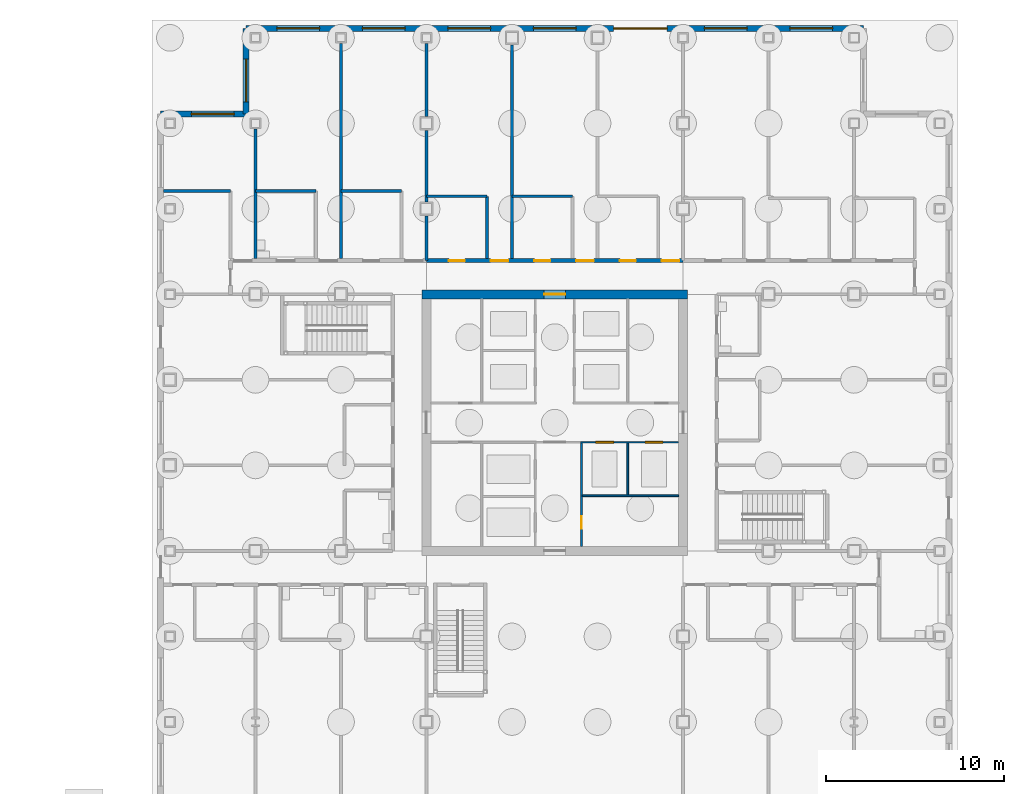
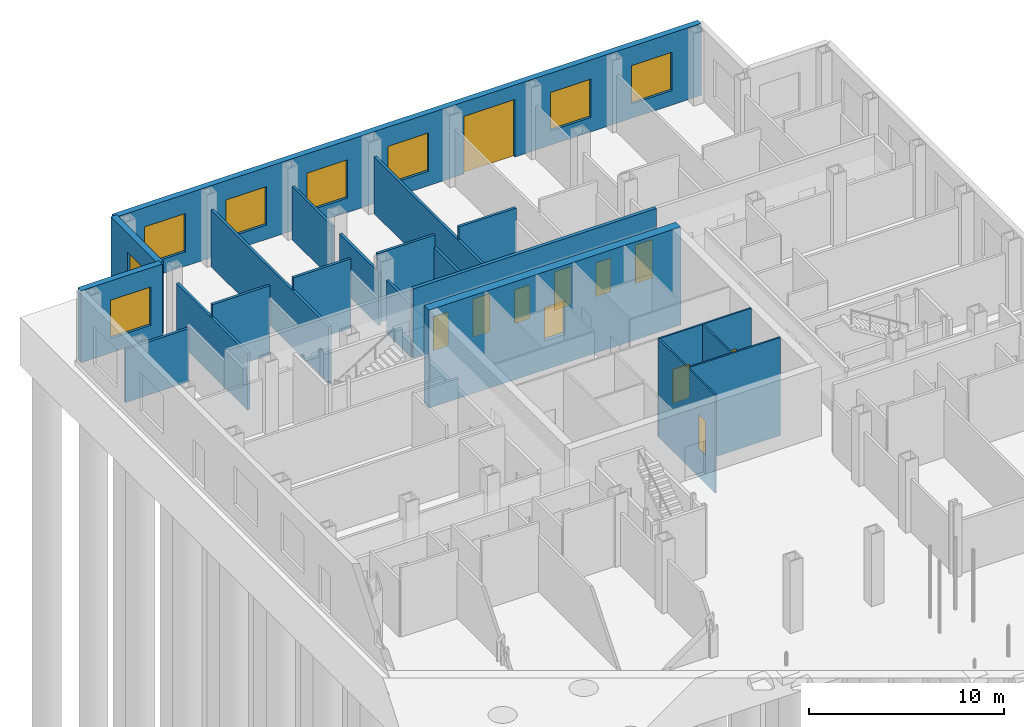
# One storey, part 16 of 22: 21 walls, 11 doors, 8 windows, 19 openings.
"""IFC4 building model written with IfcOpenShell, lengths in metres."""

import ifcopenshell
import ifcopenshell.guid

model = None  # the IFC model being written
_history = None  # IfcOwnerHistory: only IFC2X3 demands one
_inside = {}  # id of a spatial element -> (the spatial element, [elements in it])
_under = {}  # id of a project, library or spatial element -> (it, [spatial elements below it])
_declared = {}  # id of a project -> (the project, [libraries it declares])
_typed = {}  # id of a type object -> (the type object, [elements of that type])
_made_of = {}  # id of a material, layer set ... -> (it, [elements and type objects made of it])


def new_model(schema):
    """Start an empty IFC model of exactly this schema.

    Asked for "IFC4X3", IfcOpenShell would pick the latest addendum, in which some entities
    have other attributes; the version numbers below select the first issue.
    IFC2X3 requires an IfcOwnerHistory on every rooted entity: one is made here for all.
    """
    global model, _history
    if schema == "IFC4X3":
        model = ifcopenshell.file(schema_version=(4, 3, 0, 0))
    else:
        model = ifcopenshell.file(schema=schema)
    _inside.clear()
    _under.clear()
    _declared.clear()
    _typed.clear()
    _made_of.clear()
    _history = None
    if model.schema == "IFC2X3":
        org = make("IfcOrganization", Name="unknown")
        user = make(
            "IfcPersonAndOrganization",
            ThePerson=make("IfcPerson", FamilyName="unknown"),
            TheOrganization=org,
        )
        app = make(
            "IfcApplication",
            ApplicationDeveloper=org,
            Version="unknown",
            ApplicationFullName="unknown",
            ApplicationIdentifier="unknown",
        )
        _history = make(
            "IfcOwnerHistory",
            OwningUser=user,
            OwningApplication=app,
            ChangeAction="ADDED",
            CreationDate=0,
        )
    return model


def make(cls, **values):
    """One entity of the class cls with the attributes given. An attribute that is None is left unset."""
    return model.create_entity(
        cls, **{name: value for name, value in values.items() if value is not None}
    )


def rooted(cls, **values):
    """An entity with a GlobalId (a new one), such as an element, a storey or a relation."""
    return make(cls, GlobalId=ifcopenshell.guid.new(), OwnerHistory=_history, **values)


def si_unit(unit_type, name, prefix=None):
    """IfcSIUnit, for example si_unit("LENGTHUNIT", "METRE", prefix="MILLI")."""
    return make("IfcSIUnit", UnitType=unit_type, Prefix=prefix, Name=name)


def assignment(units):
    """IfcUnitAssignment: the units of a project."""
    return None if units is None else make("IfcUnitAssignment", Units=units)


def point(xyz):
    """IfcCartesianPoint."""
    return None if xyz is None else make("IfcCartesianPoint", Coordinates=xyz)


def direction(xyz):
    """IfcDirection."""
    return None if xyz is None else make("IfcDirection", DirectionRatios=xyz)


def frame(location, z_axis=None, x_axis=None):
    """IfcAxis2Placement3D, a coordinate frame: its origin and axes. An axis left out is left unset."""
    return make(
        "IfcAxis2Placement3D",
        Location=point(location),
        Axis=direction(z_axis),
        RefDirection=direction(x_axis),
    )


def frame_2d(location, x_axis=None):
    """IfcAxis2Placement2D, a coordinate frame in the plane: its origin and x axis."""
    return make(
        "IfcAxis2Placement2D", Location=point(location), RefDirection=direction(x_axis)
    )


def origin():
    """The frame at (0, 0, 0) with its axes left unset."""
    return frame((0.0, 0.0, 0.0))


def place(relative_to, where):
    """IfcLocalPlacement: puts the frame where relative to a parent placement (None: the world)."""
    return make(
        "IfcLocalPlacement", PlacementRelTo=relative_to, RelativePlacement=where
    )


def context(
    kind, dimensions, precision=None, world=None, true_north=None, identifier=None
):
    """IfcGeometricRepresentationContext, for example the 3D "Model" context."""
    return make(
        "IfcGeometricRepresentationContext",
        ContextIdentifier=identifier,
        ContextType=kind,
        CoordinateSpaceDimension=dimensions,
        Precision=precision,
        WorldCoordinateSystem=world,
        TrueNorth=true_north,
    )


def subcontext(parent, identifier, kind, view, scale=None):
    """IfcGeometricRepresentationSubContext, for example "Body" below "Model"."""
    return make(
        "IfcGeometricRepresentationSubContext",
        ContextIdentifier=identifier,
        ContextType=kind,
        ParentContext=parent,
        TargetScale=scale,
        TargetView=view,
    )


def project(units=None, contexts=None):
    """IfcProject with its units and contexts."""
    return rooted(
        "IfcProject",
        Name="project",
        RepresentationContexts=contexts,
        UnitsInContext=assignment(units),
    )


def spatial(cls, under=None, at=None, **own):
    """A site, building, storey or space (cls), placed at a placement, below another one or the project."""
    s = rooted(cls, ObjectPlacement=at, **own)
    if under is not None:
        _under.setdefault(under.id(), (under, []))[1].append(s)
    return s


def profile(cls, at=None, kind="AREA", **sizes):
    """A parametric profile (cls). Its sizes go by their IFC names, for example OverallWidth=200.0."""
    return make(cls, ProfileType=kind, Position=at, **sizes)


def rectangle(**sizes):
    """IfcRectangleProfileDef."""
    return profile("IfcRectangleProfileDef", **sizes)


def extrude(swept, where, along, depth):
    """IfcExtrudedAreaSolid: the profile swept, set in the frame where, extruded along a direction by depth."""
    return make(
        "IfcExtrudedAreaSolid",
        SweptArea=swept,
        Position=where,
        ExtrudedDirection=direction(along),
        Depth=depth,
    )


def shape(context_of_items, identifier, shape_type, items):
    """IfcShapeRepresentation: the items that make up one representation, for example the "Body"."""
    return make(
        "IfcShapeRepresentation",
        ContextOfItems=context_of_items,
        RepresentationIdentifier=identifier,
        RepresentationType=shape_type,
        Items=items,
    )


def material(Name=None, Category=None):
    """IfcMaterial."""
    return make("IfcMaterial", Name=Name, Category=Category)


def layer(
    of_material, thickness, ventilated=None, Name=None, Category=None, Priority=None
):
    """IfcMaterialLayer: one layer of a wall or slab, of a material (None: an air gap)."""
    return make(
        "IfcMaterialLayer",
        Material=of_material,
        LayerThickness=thickness,
        IsVentilated=ventilated,
        Name=Name,
        Category=Category,
        Priority=Priority,
    )


def layer_set(layers, Name=None):
    """IfcMaterialLayerSet."""
    return make("IfcMaterialLayerSet", MaterialLayers=layers, LayerSetName=Name)


def made_of(thing, what):
    """Note that an element or type object is made of a material, layer set ...; save() writes the relation."""
    if what is not None:
        _made_of.setdefault(what.id(), (what, []))[1].append(thing)
    return thing


def type_object(cls, material=None, **own):
    """A type object (cls), such as IfcWallType, which elements share."""
    return made_of(rooted(cls, **own), material)


def element(
    cls,
    number,
    at=None,
    inside=None,
    cuts=None,
    type_object=None,
    material=None,
    context=None,
    identifier="Body",
    shape_type=None,
    held_by="IfcProductDefinitionShape",
    body=None,
    shapes=None,
    **own,
):
    """One element of the class cls, such as IfcWall. Its Tag is "e" and its number.

    at: its placement. inside: the storey or other place that contains it. cuts: it is an
    opening in that element (IfcRelVoidsElement). A single representation is given by context,
    identifier, shape_type and body (its items); several are given by shapes. held_by: the class
    of the entity that holds the representations. save() writes the other relations.
    """
    e = rooted(cls, Tag="e%d" % number, ObjectPlacement=at, **own)
    if body is not None:
        shapes = [shape(context, identifier, shape_type, body)]
    if shapes is not None:
        e.Representation = make(held_by, Representations=shapes)
    if inside is not None:
        _inside.setdefault(inside.id(), (inside, []))[1].append(e)
    if cuts is not None:
        rooted(
            "IfcRelVoidsElement", RelatingBuildingElement=cuts, RelatedOpeningElement=e
        )
    if type_object is not None:
        _typed.setdefault(type_object.id(), (type_object, []))[1].append(e)
    return made_of(e, material)


def fill(opening, filler):
    """IfcRelFillsElement: the door or window that sits in an opening."""
    return rooted(
        "IfcRelFillsElement",
        RelatingOpeningElement=opening,
        RelatedBuildingElement=filler,
    )


def aggregate(whole, parts):
    """IfcRelAggregates: a whole, such as a stair, and the parts it consists of."""
    return rooted("IfcRelAggregates", RelatingObject=whole, RelatedObjects=parts)


def save(model, path):
    """Write the relations noted so far, then the file.

    IfcRelAggregates (storeys below a building ...), IfcRelContainedInSpatialStructure (elements
    in a storey), IfcRelDefinesByType, IfcRelAssociatesMaterial and IfcRelDeclares: one each for
    every whole, place, type object, material and project.
    """
    for whole, parts in _under.values():
        aggregate(whole, parts)
    for where, things in _inside.values():
        rooted(
            "IfcRelContainedInSpatialStructure",
            RelatedElements=things,
            RelatingStructure=where,
        )
    for kind, things in _typed.values():
        rooted("IfcRelDefinesByType", RelatedObjects=things, RelatingType=kind)
    for what, things in _made_of.values():
        rooted("IfcRelAssociatesMaterial", RelatedObjects=things, RelatingMaterial=what)
    for by, libraries in _declared.values():
        rooted("IfcRelDeclares", RelatingContext=by, RelatedDefinitions=libraries)
    model.write(path)


model = new_model("IFC4")

# Units and contexts
model_context = context("Model", 3, precision=1e-05, world=origin(), true_north=direction((0.0, 1.0)))
body_context = subcontext(model_context, "Body", "Model", "MODEL_VIEW")
ifc_project = project(units=[si_unit("LENGTHUNIT", "METRE"), si_unit("AREAUNIT", "SQUARE_METRE"), si_unit("VOLUMEUNIT", "CUBIC_METRE"), si_unit("PLANEANGLEUNIT", "RADIAN"), si_unit("MASSUNIT", "GRAM", prefix="KILO")], contexts=[model_context])

# Site, building, storey
site_placement = place(None, origin())
site = spatial("IfcSite", under=ifc_project, at=site_placement, CompositionType="ELEMENT")
building_placement = place(site_placement, origin())
building = spatial("IfcBuilding", under=site, at=building_placement, Name="Kvirike Care Tower", CompositionType="ELEMENT")
storey_placement = place(building_placement, origin())
storey = spatial("IfcBuildingStorey", under=building, at=storey_placement, Name="L00", CompositionType="ELEMENT", Elevation=0.0)

# Walls
ifc_material_1 = material(Name="Plasterboard partition", Category="gypsum")
ifc_layer_1 = layer(ifc_material_1, 0.14990234375)
ifc_layer_set_1 = layer_set([ifc_layer_1], Name="CLINIC PARTITION 150")
wall_type_1 = type_object("IfcWallType", Name="CLINIC PARTITION 150", PredefinedType="PARTITIONING", material=ifc_layer_set_1)
for number, where, z_axis, x_axis, name in (
    (1, (13.0, 49.0, 0.0), (0.0, 0.0, 1.0), (-1.0, 0.0, 0.0), "Clinic Partition 150 L00"),
    (2, (8.199951171875, 49.0, 0.0), (0.0, 0.0, 1.0), (-1.0, 0.0, 0.0), "Clinic Partition 150 L00"),
):
    element("IfcWall", number, at=place(storey_placement, frame(where, z_axis=z_axis, x_axis=x_axis)), inside=storey, type_object=wall_type_1, Name=name, PredefinedType="PARTITIONING", context=body_context, shape_type="SweptSolid", body=[
        extrude(rectangle(XDim=3.39990234375, YDim=0.14990234375, at=frame_2d((1.699951171875, 0.0))), origin(), (0.0, 0.0, 1.0), 4.330078125),
    ])
wall_1_placement = place(storey_placement, frame((3.39990234375, 49.0, 0.0), z_axis=(0.0, 0.0, 1.0), x_axis=(-1.0, 0.0, 0.0)))
element("IfcWall", 3, at=wall_1_placement, inside=storey, type_object=wall_type_1, Name="Clinic Partition 150 L00", PredefinedType="PARTITIONING", context=body_context, shape_type="SweptSolid", body=[
    extrude(rectangle(XDim=3.75, YDim=0.14990234375, at=frame_2d((1.875, 0.0))), origin(), (0.0, 0.0, 1.0), 3.320068359375),
])
wall_2_placement = place(storey_placement, frame((9.60009765625, 57.280029296875, 0.0), z_axis=(0.0, 0.0, 1.0), x_axis=(0.0, -1.0, 0.0)))
element("IfcWall", 4, at=wall_2_placement, inside=storey, type_object=wall_type_1, Name="Clinic Partition 150 L00", PredefinedType="PARTITIONING", context=body_context, shape_type="SweptSolid", body=[
    extrude(rectangle(XDim=12.080078125, YDim=0.14990234375, at=frame_2d((6.0400390625, 0.0))), origin(), (0.0, 0.0, 1.0), 3.550048828125),
])
wall_3_placement = place(storey_placement, frame((4.800048828125, 52.47998046875, 0.0), z_axis=(0.0, 0.0, 1.0), x_axis=(0.0, -1.0, 0.0)))
element("IfcWall", 5, at=wall_3_placement, inside=storey, type_object=wall_type_1, Name="Clinic Partition 150 L00", PredefinedType="PARTITIONING", context=body_context, shape_type="SweptSolid", body=[
    extrude(rectangle(XDim=7.280029296875, YDim=0.14990234375, at=frame_2d((3.64013671875, 0.0))), origin(), (0.0, 0.0, 1.0), 3.550048828125),
])
wall_4_placement = place(storey_placement, frame((22.60009765625, 48.699951171875, 0.0), z_axis=(0.0, 0.0, 1.0), x_axis=(-1.0, 0.0, 0.0)))
element("IfcWall", 6, at=wall_4_placement, inside=storey, type_object=wall_type_1, Name="Clinic Partition 150 L00", PredefinedType="PARTITIONING", context=body_context, shape_type="SweptSolid", body=[
    extrude(rectangle(XDim=3.400146484375, YDim=0.14990234375, at=frame_2d((1.7001953125, 0.0))), origin(), (0.0, 0.0, 1.0), 4.330078125),
])
wall_5_placement = place(storey_placement, frame((17.800048828125, 48.699951171875, 0.0), z_axis=(0.0, 0.0, 1.0), x_axis=(0.0, -1.0, 0.0)))
element("IfcWall", 7, at=wall_5_placement, inside=storey, type_object=wall_type_1, Name="Clinic Partition 150 L00", PredefinedType="PARTITIONING", context=body_context, shape_type="SweptSolid", body=[
    extrude(rectangle(XDim=3.5, YDim=0.14990234375, at=frame_2d((1.75, 0.0))), origin(), (0.0, 0.0, 1.0), 3.550048828125),
])
wall_6_placement = place(storey_placement, frame((17.800048828125, 48.699951171875, 0.0), z_axis=(0.0, 0.0, 1.0), x_axis=(-1.0, 0.0, 0.0)))
element("IfcWall", 8, at=wall_6_placement, inside=storey, type_object=wall_type_1, Name="Clinic Partition 150 L00", PredefinedType="PARTITIONING", context=body_context, shape_type="SweptSolid", body=[
    extrude(rectangle(XDim=3.400146484375, YDim=0.14990234375, at=frame_2d((1.7001953125, 0.0))), origin(), (0.0, 0.0, 1.0), 4.330078125),
])
wall_7_placement = place(storey_placement, frame((19.199951171875, 57.205078125, 0.0), z_axis=(0.0, 0.0, 1.0), x_axis=(0.0, -1.0, 0.0)))
element("IfcWall", 9, at=wall_7_placement, inside=storey, type_object=wall_type_1, Name="Clinic Partition 150 L00", PredefinedType="PARTITIONING", context=body_context, shape_type="SweptSolid", body=[
    extrude(rectangle(XDim=12.005126953125, YDim=0.14990234375, at=frame_2d((6.00244140625, 0.0))), origin(), (0.0, 0.0, 1.0), 3.550048828125),
])
wall_8_placement = place(storey_placement, frame((14.39990234375, 45.10009765625, 0.0), z_axis=(0.0, 0.0, 1.0), x_axis=(0.0, 1.0, 0.0)))
element("IfcWall", 10, at=wall_8_placement, inside=storey, type_object=wall_type_1, Name="Clinic Partition 150 L00", PredefinedType="PARTITIONING", context=body_context, shape_type="SweptSolid", body=[
    extrude(rectangle(XDim=2.5048828125, YDim=0.14990234375, at=frame_2d((1.25244140625, 0.0))), origin(), (0.0, 0.0, 1.0), 3.320068359375),
])
wall_9_placement = place(storey_placement, frame((14.39990234375, 48.39501953125, 0.0), z_axis=(0.0, 0.0, 1.0), x_axis=(0.0, 1.0, 0.0)))
element("IfcWall", 11, at=wall_9_placement, inside=storey, type_object=wall_type_1, Name="Clinic Partition 150 L00", PredefinedType="PARTITIONING", context=body_context, shape_type="SweptSolid", body=[
    extrude(rectangle(XDim=4.010009765625, YDim=0.14990234375, at=frame_2d((2.0048828125, 0.0))), origin(), (0.0, 0.0, 1.0), 3.320068359375),
])
wall_10_placement = place(storey_placement, frame((14.39990234375, 53.195068359375, 0.0), z_axis=(0.0, 0.0, 1.0), x_axis=(0.0, 1.0, 0.0)))
element("IfcWall", 12, at=wall_10_placement, inside=storey, type_object=wall_type_1, Name="Clinic Partition 150 L00", PredefinedType="PARTITIONING", context=body_context, shape_type="SweptSolid", body=[
    extrude(rectangle(XDim=4.0849609375, YDim=0.14990234375, at=frame_2d((2.04248046875, 0.0))), origin(), (0.0, 0.0, 1.0), 3.320068359375),
])

# Wall, opening, door
ifc_material_2 = material(Name="Concrete C60/75", Category="concrete")
ifc_layer_2 = layer(ifc_material_2, 0.5)
ifc_layer_set_2 = layer_set([ifc_layer_2], Name="CORE WALL 500 C60-75")
wall_type_2 = type_object("IfcWallType", Name="CORE WALL 500 C60-75", PredefinedType="SHEAR", material=ifc_layer_set_2)
wall_11_placement = place(storey_placement, frame((29.050048828125, 43.199951171875, -1.800048828125), z_axis=(0.0, 0.0, 1.0), x_axis=(-1.0, 0.0, 0.0)))
wall_11 = element("IfcWall", 13, at=wall_11_placement, inside=storey, type_object=wall_type_2, Name="Core wall N L00", PredefinedType="SHEAR", context=body_context, shape_type="SweptSolid", body=[
    extrude(rectangle(XDim=14.900146484375, YDim=0.5, at=frame_2d((7.4501953125, 0.0))), origin(), (0.0, 0.0, 1.0), 6.130126953125),
])
opening_1_placement = place(wall_11_placement, frame((6.85009765625, 0.0, 1.800048828125)))
opening_1 = element("IfcOpeningElement", 14, at=opening_1_placement, cuts=wall_11, Name="Opening 00-063", PredefinedType="OPENING", context=body_context, shape_type="SweptSolid", body=[
    extrude(rectangle(XDim=1.199951171875, YDim=2.10009765625, at=frame_2d((0.60009765625, 1.050048828125))), frame((0.0, 0.260498046875, 0.0), z_axis=(0.0, -1.0, 0.0), x_axis=(1.0, 0.0, 0.0)), (0.0, 0.0, 1.0), 0.52099609375),
])
ifc_material_3 = material(Name="Timber door set", Category="wood")
door_type_1 = type_object("IfcDoorType", Name="CORE DOOR 1200", OperationType="SINGLE_SWING_LEFT", PredefinedType="DOOR", material=ifc_material_3)
door_1_placement = place(opening_1_placement, origin())
door_1 = element("IfcDoor", 15, at=door_1_placement, inside=storey, type_object=door_type_1, Name="Core door N L00", OperationType="SINGLE_SWING_LEFT", OverallHeight=2.10009765625, OverallWidth=1.199951171875, PredefinedType="DOOR", context=body_context, shape_type="SweptSolid", body=[
    extrude(rectangle(XDim=1.199951171875, YDim=2.10009765625, at=frame_2d((0.60009765625, 1.050048828125))), frame((0.0, 0.02685546875, 0.0), z_axis=(0.0, -1.0, 0.0), x_axis=(1.0, 0.0, 0.0)), (0.0, 0.0, 1.0), 0.053955078125),
])
fill(opening_1, door_1)

# Wall, openings, doors
ifc_material_4 = material(Name="Plasterboard corridor wall", Category="gypsum")
ifc_layer_3 = layer(ifc_material_4, 0.199951171875)
ifc_layer_set_3 = layer_set([ifc_layer_3], Name="CORRIDOR WALL 200")
wall_type_3 = type_object("IfcWallType", Name="CORRIDOR WALL 200", PredefinedType="PARTITIONING", material=ifc_layer_set_3)
wall_12_placement = place(storey_placement, frame((28.800048828125, 45.10009765625, 0.0), z_axis=(0.0, 0.0, 1.0), x_axis=(-1.0, 0.0, 0.0)))
wall_12 = element("IfcWall", 16, at=wall_12_placement, inside=storey, type_object=wall_type_3, Name="Corridor Wall 200 L00", PredefinedType="PARTITIONING", context=body_context, shape_type="SweptSolid", body=[
    extrude(rectangle(XDim=14.400146484375, YDim=0.199951171875, at=frame_2d((7.2001953125, 0.0))), origin(), (0.0, 0.0, 1.0), 4.330078125),
])
opening_2_placement = place(wall_12_placement, frame((0.199951171875, 0.0, 0.0)))
opening_2 = element("IfcOpeningElement", 17, at=opening_2_placement, cuts=wall_12, Name="Opening 00-019", PredefinedType="OPENING", context=body_context, shape_type="SweptSolid", body=[
    extrude(rectangle(XDim=1.0, YDim=2.39990234375, at=frame_2d((0.5, 1.199951171875))), frame((0.0, 0.110595703125, 0.0), z_axis=(0.0, -1.0, 0.0), x_axis=(1.0, 0.0, 0.0)), (0.0, 0.0, 1.0), 0.220947265625),
])
opening_3_placement = place(wall_12_placement, frame((5.0, 0.0, 0.0)))
opening_3 = element("IfcOpeningElement", 18, at=opening_3_placement, cuts=wall_12, Name="Opening 00-020", PredefinedType="OPENING", context=body_context, shape_type="SweptSolid", body=[
    extrude(rectangle(XDim=1.0, YDim=2.39990234375, at=frame_2d((0.5, 1.199951171875))), frame((0.0, 0.110595703125, 0.0), z_axis=(0.0, -1.0, 0.0), x_axis=(1.0, 0.0, 0.0)), (0.0, 0.0, 1.0), 0.220947265625),
])
opening_4_placement = place(wall_12_placement, frame((9.800048828125, 0.0, 0.0)))
opening_4 = element("IfcOpeningElement", 19, at=opening_4_placement, cuts=wall_12, Name="Opening 00-021", PredefinedType="OPENING", context=body_context, shape_type="SweptSolid", body=[
    extrude(rectangle(XDim=1.0, YDim=2.39990234375, at=frame_2d((0.5, 1.199951171875))), frame((0.0, 0.110595703125, 0.0), z_axis=(0.0, -1.0, 0.0), x_axis=(1.0, 0.0, 0.0)), (0.0, 0.0, 1.0), 0.220947265625),
])
opening_5_placement = place(wall_12_placement, frame((2.64990234375, 0.0, 0.0)))
opening_5 = element("IfcOpeningElement", 20, at=opening_5_placement, cuts=wall_12, Name="Opening 00-022", PredefinedType="OPENING", context=body_context, shape_type="SweptSolid", body=[
    extrude(rectangle(XDim=0.89990234375, YDim=2.10009765625, at=frame_2d((0.449951171875, 1.050048828125))), frame((0.0, 0.110595703125, 0.0), z_axis=(0.0, -1.0, 0.0), x_axis=(1.0, 0.0, 0.0)), (0.0, 0.0, 1.0), 0.220947265625),
])
opening_6_placement = place(wall_12_placement, frame((7.449951171875, 0.0, 0.0)))
opening_6 = element("IfcOpeningElement", 21, at=opening_6_placement, cuts=wall_12, Name="Opening 00-023", PredefinedType="OPENING", context=body_context, shape_type="SweptSolid", body=[
    extrude(rectangle(XDim=0.89990234375, YDim=2.10009765625, at=frame_2d((0.449951171875, 1.050048828125))), frame((0.0, 0.110595703125, 0.0), z_axis=(0.0, -1.0, 0.0), x_axis=(1.0, 0.0, 0.0)), (0.0, 0.0, 1.0), 0.220947265625),
])
opening_7_placement = place(wall_12_placement, frame((12.25, 0.0, 0.0)))
opening_7 = element("IfcOpeningElement", 22, at=opening_7_placement, cuts=wall_12, Name="Opening 00-024", PredefinedType="OPENING", context=body_context, shape_type="SweptSolid", body=[
    extrude(rectangle(XDim=0.89990234375, YDim=2.10009765625, at=frame_2d((0.449951171875, 1.050048828125))), frame((0.0, 0.110595703125, 0.0), z_axis=(0.0, -1.0, 0.0), x_axis=(1.0, 0.0, 0.0)), (0.0, 0.0, 1.0), 0.220947265625),
])
ifc_material_5 = material(Name="Timber door set", Category="wood")
door_type_2 = type_object("IfcDoorType", Name="CONSULTING ROOM DOOR 1000", OperationType="SINGLE_SWING_LEFT", PredefinedType="DOOR", material=ifc_material_5)
door_2_placement = place(opening_2_placement, frame((1.0, 0.0, 0.0), z_axis=(0.0, 0.0, 1.0), x_axis=(-1.0, 0.0, 0.0)))
door_2 = element("IfcDoor", 23, at=door_2_placement, inside=storey, type_object=door_type_2, Name="Loading bay door", OperationType="SINGLE_SWING_LEFT", OverallHeight=2.39990234375, OverallWidth=1.0, PredefinedType="DOOR", context=body_context, shape_type="SweptSolid", body=[
    extrude(rectangle(XDim=1.0, YDim=2.39990234375, at=frame_2d((0.5, 1.199951171875))), frame((0.0, 0.02685546875, 0.0), z_axis=(0.0, -1.0, 0.0), x_axis=(1.0, 0.0, 0.0)), (0.0, 0.0, 1.0), 0.053955078125),
])
fill(opening_2, door_2)
door_3_placement = place(opening_3_placement, frame((1.0, 0.0, 0.0), z_axis=(0.0, 0.0, 1.0), x_axis=(-1.0, 0.0, 0.0)))
door_3 = element("IfcDoor", 24, at=door_3_placement, inside=storey, type_object=door_type_2, Name="Refuse store door", OperationType="SINGLE_SWING_RIGHT", OverallHeight=2.39990234375, OverallWidth=1.0, PredefinedType="DOOR", context=body_context, shape_type="SweptSolid", body=[
    extrude(rectangle(XDim=1.0, YDim=2.39990234375, at=frame_2d((0.5, 1.199951171875))), frame((0.0, 0.02685546875, 0.0), z_axis=(0.0, -1.0, 0.0), x_axis=(1.0, 0.0, 0.0)), (0.0, 0.0, 1.0), 0.053955078125),
])
fill(opening_3, door_3)
door_4_placement = place(opening_4_placement, frame((1.0, 0.0, 0.0), z_axis=(0.0, 0.0, 1.0), x_axis=(-1.0, 0.0, 0.0)))
door_4 = element("IfcDoor", 25, at=door_4_placement, inside=storey, type_object=door_type_2, Name="Goods receiving door", OperationType="SINGLE_SWING_RIGHT", OverallHeight=2.39990234375, OverallWidth=1.0, PredefinedType="DOOR", context=body_context, shape_type="SweptSolid", body=[
    extrude(rectangle(XDim=1.0, YDim=2.39990234375, at=frame_2d((0.5, 1.199951171875))), frame((0.0, 0.02685546875, 0.0), z_axis=(0.0, -1.0, 0.0), x_axis=(1.0, 0.0, 0.0)), (0.0, 0.0, 1.0), 0.053955078125),
])
fill(opening_4, door_4)
ifc_material_6 = material(Name="Timber door set", Category="wood")
door_type_3 = type_object("IfcDoorType", Name="STORE DOOR 900", OperationType="SINGLE_SWING_LEFT", PredefinedType="DOOR", material=ifc_material_6)
door_5_placement = place(opening_5_placement, frame((0.89990234375, 0.0, 0.0), z_axis=(0.0, 0.0, 1.0), x_axis=(-1.0, 0.0, 0.0)))
door_5 = element("IfcDoor", 26, at=door_5_placement, inside=storey, type_object=door_type_3, Name="Store door", OperationType="SINGLE_SWING_RIGHT", OverallHeight=2.10009765625, OverallWidth=0.89990234375, PredefinedType="DOOR", context=body_context, shape_type="SweptSolid", body=[
    extrude(rectangle(XDim=0.89990234375, YDim=2.10009765625, at=frame_2d((0.449951171875, 1.050048828125))), frame((0.0, 0.02685546875, 0.0), z_axis=(0.0, -1.0, 0.0), x_axis=(1.0, 0.0, 0.0)), (0.0, 0.0, 1.0), 0.053955078125),
])
fill(opening_5, door_5)
door_6_placement = place(opening_6_placement, frame((0.89990234375, 0.0, 0.0), z_axis=(0.0, 0.0, 1.0), x_axis=(-1.0, 0.0, 0.0)))
door_6 = element("IfcDoor", 27, at=door_6_placement, inside=storey, type_object=door_type_3, Name="Cleaners store door", OperationType="SINGLE_SWING_LEFT", OverallHeight=2.10009765625, OverallWidth=0.89990234375, PredefinedType="DOOR", context=body_context, shape_type="SweptSolid", body=[
    extrude(rectangle(XDim=0.89990234375, YDim=2.10009765625, at=frame_2d((0.449951171875, 1.050048828125))), frame((0.0, 0.02685546875, 0.0), z_axis=(0.0, -1.0, 0.0), x_axis=(1.0, 0.0, 0.0)), (0.0, 0.0, 1.0), 0.053955078125),
])
fill(opening_6, door_6)
door_7_placement = place(opening_7_placement, frame((0.89990234375, 0.0, 0.0), z_axis=(0.0, 0.0, 1.0), x_axis=(-1.0, 0.0, 0.0)))
door_7 = element("IfcDoor", 28, at=door_7_placement, inside=storey, type_object=door_type_3, Name="Store door", OperationType="SINGLE_SWING_LEFT", OverallHeight=2.10009765625, OverallWidth=0.89990234375, PredefinedType="DOOR", context=body_context, shape_type="SweptSolid", body=[
    extrude(rectangle(XDim=0.89990234375, YDim=2.10009765625, at=frame_2d((0.449951171875, 1.050048828125))), frame((0.0, 0.02685546875, 0.0), z_axis=(0.0, -1.0, 0.0), x_axis=(1.0, 0.0, 0.0)), (0.0, 0.0, 1.0), 0.053955078125),
])
fill(opening_7, door_7)

# Wall, openings, windows, door
ifc_material_7 = material(Name="Bronze-clad concrete wall", Category="concrete")
ifc_layer_4 = layer(ifc_material_7, 0.35009765625)
ifc_layer_set_4 = layer_set([ifc_layer_4], Name="PODIUM BASE WALL 350")
wall_type_4 = type_object("IfcWallType", Name="PODIUM BASE WALL 350", PredefinedType="SOLIDWALL", material=ifc_layer_set_4)
wall_13_placement = place(storey_placement, frame((38.925048828125, 58.125, 0.0), z_axis=(0.0, 0.0, 1.0), x_axis=(-1.0, 0.0, 0.0)))
wall_13 = element("IfcWall", 29, at=wall_13_placement, inside=storey, type_object=wall_type_4, Name="Podium base wall face 11", PredefinedType="SOLIDWALL", context=body_context, shape_type="SweptSolid", body=[
    extrude(rectangle(XDim=34.650146484375, YDim=0.35009765625, at=frame_2d((17.3251953125, 0.0))), origin(), (0.0, 0.0, 1.0), 4.5),
])
opening_8_placement = place(wall_13_placement, frame((11.02490234375, 0.0, 0.0)))
opening_8 = element("IfcOpeningElement", 30, at=opening_8_placement, cuts=wall_13, Name="Opening 00-906", PredefinedType="OPENING", context=body_context, shape_type="SweptSolid", body=[
    extrude(rectangle(XDim=3.0, YDim=3.60009765625, at=frame_2d((1.5, 1.800048828125))), frame((0.0, 0.185546875, 0.0), z_axis=(0.0, -1.0, 0.0), x_axis=(1.0, 0.0, 0.0)), (0.0, 0.0, 1.0), 0.37109375),
])
opening_9_placement = place(wall_13_placement, frame((30.52490234375, 0.0, 0.89990234375)))
opening_9 = element("IfcOpeningElement", 31, at=opening_9_placement, cuts=wall_13, Name="Opening W02", PredefinedType="OPENING", context=body_context, shape_type="SweptSolid", body=[
    extrude(rectangle(XDim=2.39990234375, YDim=2.39990234375, at=frame_2d((1.199951171875, 1.199951171875))), frame((0.0, 0.185546875, 0.0), z_axis=(0.0, -1.0, 0.0), x_axis=(1.0, 0.0, 0.0)), (0.0, 0.0, 1.0), 0.37109375),
])
opening_10_placement = place(wall_13_placement, frame((25.72509765625, 0.0, 0.89990234375)))
opening_10 = element("IfcOpeningElement", 32, at=opening_10_placement, cuts=wall_13, Name="Opening W02", PredefinedType="OPENING", context=body_context, shape_type="SweptSolid", body=[
    extrude(rectangle(XDim=2.39990234375, YDim=2.39990234375, at=frame_2d((1.199951171875, 1.199951171875))), frame((0.0, 0.185546875, 0.0), z_axis=(0.0, -1.0, 0.0), x_axis=(1.0, 0.0, 0.0)), (0.0, 0.0, 1.0), 0.37109375),
])
opening_11_placement = place(wall_13_placement, frame((20.925048828125, 0.0, 0.89990234375)))
opening_11 = element("IfcOpeningElement", 33, at=opening_11_placement, cuts=wall_13, Name="Opening W02", PredefinedType="OPENING", context=body_context, shape_type="SweptSolid", body=[
    extrude(rectangle(XDim=2.39990234375, YDim=2.39990234375, at=frame_2d((1.199951171875, 1.199951171875))), frame((0.0, 0.185546875, 0.0), z_axis=(0.0, -1.0, 0.0), x_axis=(1.0, 0.0, 0.0)), (0.0, 0.0, 1.0), 0.37109375),
])
opening_12_placement = place(wall_13_placement, frame((16.125, 0.0, 0.89990234375)))
opening_12 = element("IfcOpeningElement", 34, at=opening_12_placement, cuts=wall_13, Name="Opening W02", PredefinedType="OPENING", context=body_context, shape_type="SweptSolid", body=[
    extrude(rectangle(XDim=2.39990234375, YDim=2.39990234375, at=frame_2d((1.199951171875, 1.199951171875))), frame((0.0, 0.185546875, 0.0), z_axis=(0.0, -1.0, 0.0), x_axis=(1.0, 0.0, 0.0)), (0.0, 0.0, 1.0), 0.37109375),
])
opening_13_placement = place(wall_13_placement, frame((6.52490234375, 0.0, 0.89990234375)))
opening_13 = element("IfcOpeningElement", 35, at=opening_13_placement, cuts=wall_13, Name="Opening W02", PredefinedType="OPENING", context=body_context, shape_type="SweptSolid", body=[
    extrude(rectangle(XDim=2.39990234375, YDim=2.39990234375, at=frame_2d((1.199951171875, 1.199951171875))), frame((0.0, 0.185546875, 0.0), z_axis=(0.0, -1.0, 0.0), x_axis=(1.0, 0.0, 0.0)), (0.0, 0.0, 1.0), 0.37109375),
])
opening_14_placement = place(wall_13_placement, frame((1.72509765625, 0.0, 0.89990234375)))
opening_14 = element("IfcOpeningElement", 36, at=opening_14_placement, cuts=wall_13, Name="Opening W02", PredefinedType="OPENING", context=body_context, shape_type="SweptSolid", body=[
    extrude(rectangle(XDim=2.39990234375, YDim=2.39990234375, at=frame_2d((1.199951171875, 1.199951171875))), frame((0.0, 0.185546875, 0.0), z_axis=(0.0, -1.0, 0.0), x_axis=(1.0, 0.0, 0.0)), (0.0, 0.0, 1.0), 0.37109375),
])
ifc_material_8 = material(Name="Bronze anodised aluminium window", Category="aluminium")
window_type = type_object("IfcWindowType", Name="PODIUM WINDOW 2400", PartitioningType="SINGLE_PANEL", PredefinedType="WINDOW", material=ifc_material_8)
window_1_placement = place(opening_9_placement, origin())
window_1 = element("IfcWindow", 37, at=window_1_placement, inside=storey, type_object=window_type, Name="Podium Window 2400 L00", OverallHeight=2.39990234375, OverallWidth=2.39990234375, PartitioningType="SINGLE_PANEL", PredefinedType="WINDOW", context=body_context, shape_type="SweptSolid", body=[
    extrude(rectangle(XDim=2.39990234375, YDim=2.39990234375, at=frame_2d((1.199951171875, 1.199951171875))), frame((0.0, 0.030029296875, 0.0), z_axis=(0.0, -1.0, 0.0), x_axis=(1.0, 0.0, 0.0)), (0.0, 0.0, 1.0), 0.06005859375),
])
fill(opening_9, window_1)
window_2_placement = place(opening_10_placement, origin())
window_2 = element("IfcWindow", 38, at=window_2_placement, inside=storey, type_object=window_type, Name="Podium Window 2400 L00", OverallHeight=2.39990234375, OverallWidth=2.39990234375, PartitioningType="SINGLE_PANEL", PredefinedType="WINDOW", context=body_context, shape_type="SweptSolid", body=[
    extrude(rectangle(XDim=2.39990234375, YDim=2.39990234375, at=frame_2d((1.199951171875, 1.199951171875))), frame((0.0, 0.030029296875, 0.0), z_axis=(0.0, -1.0, 0.0), x_axis=(1.0, 0.0, 0.0)), (0.0, 0.0, 1.0), 0.06005859375),
])
fill(opening_10, window_2)
window_3_placement = place(opening_11_placement, origin())
window_3 = element("IfcWindow", 39, at=window_3_placement, inside=storey, type_object=window_type, Name="Podium Window 2400 L00", OverallHeight=2.39990234375, OverallWidth=2.39990234375, PartitioningType="SINGLE_PANEL", PredefinedType="WINDOW", context=body_context, shape_type="SweptSolid", body=[
    extrude(rectangle(XDim=2.39990234375, YDim=2.39990234375, at=frame_2d((1.199951171875, 1.199951171875))), frame((0.0, 0.030029296875, 0.0), z_axis=(0.0, -1.0, 0.0), x_axis=(1.0, 0.0, 0.0)), (0.0, 0.0, 1.0), 0.06005859375),
])
fill(opening_11, window_3)
window_4_placement = place(opening_12_placement, origin())
window_4 = element("IfcWindow", 40, at=window_4_placement, inside=storey, type_object=window_type, Name="Podium Window 2400 L00", OverallHeight=2.39990234375, OverallWidth=2.39990234375, PartitioningType="SINGLE_PANEL", PredefinedType="WINDOW", context=body_context, shape_type="SweptSolid", body=[
    extrude(rectangle(XDim=2.39990234375, YDim=2.39990234375, at=frame_2d((1.199951171875, 1.199951171875))), frame((0.0, 0.030029296875, 0.0), z_axis=(0.0, -1.0, 0.0), x_axis=(1.0, 0.0, 0.0)), (0.0, 0.0, 1.0), 0.06005859375),
])
fill(opening_12, window_4)
window_5_placement = place(opening_13_placement, origin())
window_5 = element("IfcWindow", 41, at=window_5_placement, inside=storey, type_object=window_type, Name="Podium Window 2400 L00", OverallHeight=2.39990234375, OverallWidth=2.39990234375, PartitioningType="SINGLE_PANEL", PredefinedType="WINDOW", context=body_context, shape_type="SweptSolid", body=[
    extrude(rectangle(XDim=2.39990234375, YDim=2.39990234375, at=frame_2d((1.199951171875, 1.199951171875))), frame((0.0, 0.030029296875, 0.0), z_axis=(0.0, -1.0, 0.0), x_axis=(1.0, 0.0, 0.0)), (0.0, 0.0, 1.0), 0.06005859375),
])
fill(opening_13, window_5)
window_6_placement = place(opening_14_placement, origin())
window_6 = element("IfcWindow", 42, at=window_6_placement, inside=storey, type_object=window_type, Name="Podium Window 2400 L00", OverallHeight=2.39990234375, OverallWidth=2.39990234375, PartitioningType="SINGLE_PANEL", PredefinedType="WINDOW", context=body_context, shape_type="SweptSolid", body=[
    extrude(rectangle(XDim=2.39990234375, YDim=2.39990234375, at=frame_2d((1.199951171875, 1.199951171875))), frame((0.0, 0.030029296875, 0.0), z_axis=(0.0, -1.0, 0.0), x_axis=(1.0, 0.0, 0.0)), (0.0, 0.0, 1.0), 0.06005859375),
])
fill(opening_14, window_6)
ifc_material_9 = material(Name="Timber door set", Category="wood")
door_type_4 = type_object("IfcDoorType", Name="SERVICE DOOR 3000", OperationType="DOUBLE_DOOR_SINGLE_SWING", PredefinedType="DOOR", material=ifc_material_9)
door_8_placement = place(opening_8_placement, frame((3.0, 0.0, 0.0), z_axis=(0.0, 0.0, 1.0), x_axis=(-1.0, 0.0, 0.0)))
door_8 = element("IfcDoor", 43, at=door_8_placement, inside=storey, type_object=door_type_4, Name="Loading bay door", OperationType="DOUBLE_DOOR_SINGLE_SWING", OverallHeight=3.60009765625, OverallWidth=3.0, PredefinedType="DOOR", context=body_context, shape_type="SweptSolid", body=[
    extrude(rectangle(XDim=3.0, YDim=3.60009765625, at=frame_2d((1.5, 1.800048828125))), frame((0.0, 0.03515625, 0.0), z_axis=(0.0, -1.0, 0.0), x_axis=(1.0, 0.0, 0.0)), (0.0, 0.0, 1.0), 0.070068359375),
])
fill(opening_8, door_8)

# Wall, opening, window
wall_14_placement = place(storey_placement, frame((4.27490234375, 58.125, 0.0), z_axis=(0.0, 0.0, 1.0), x_axis=(0.0, -1.0, 0.0)))
wall_14 = element("IfcWall", 44, at=wall_14_placement, inside=storey, type_object=wall_type_4, Name="Podium base wall face 12", PredefinedType="SOLIDWALL", context=body_context, shape_type="SweptSolid", body=[
    extrude(rectangle(XDim=4.800048828125, YDim=0.35009765625, at=frame_2d((2.39990234375, 0.0))), origin(), (0.0, 0.0, 1.0), 4.5),
])
opening_15_placement = place(wall_14_placement, frame((1.72509765625, 0.0, 0.89990234375)))
opening_15 = element("IfcOpeningElement", 45, at=opening_15_placement, cuts=wall_14, Name="Opening W02", PredefinedType="OPENING", context=body_context, shape_type="SweptSolid", body=[
    extrude(rectangle(XDim=2.39990234375, YDim=2.39990234375, at=frame_2d((1.199951171875, 1.199951171875))), frame((0.0, 0.185546875, 0.0), z_axis=(0.0, -1.0, 0.0), x_axis=(1.0, 0.0, 0.0)), (0.0, 0.0, 1.0), 0.37109375),
])
window_7_placement = place(opening_15_placement, origin())
window_7 = element("IfcWindow", 46, at=window_7_placement, inside=storey, type_object=window_type, Name="Podium Window 2400 L00", OverallHeight=2.39990234375, OverallWidth=2.39990234375, PartitioningType="SINGLE_PANEL", PredefinedType="WINDOW", context=body_context, shape_type="SweptSolid", body=[
    extrude(rectangle(XDim=2.39990234375, YDim=2.39990234375, at=frame_2d((1.199951171875, 1.199951171875))), frame((0.0, 0.030029296875, 0.0), z_axis=(0.0, -1.0, 0.0), x_axis=(1.0, 0.0, 0.0)), (0.0, 0.0, 1.0), 0.06005859375),
])
fill(opening_15, window_7)

wall_15_placement = place(storey_placement, frame((4.27490234375, 53.324951171875, 0.0), z_axis=(0.0, 0.0, 1.0), x_axis=(-1.0, 0.0, 0.0)))
wall_15 = element("IfcWall", 47, at=wall_15_placement, inside=storey, type_object=wall_type_4, Name="Podium base wall face 13", PredefinedType="SOLIDWALL", context=body_context, shape_type="SweptSolid", body=[
    extrude(rectangle(XDim=4.7998046875, YDim=0.35009765625, at=frame_2d((2.39990234375, 0.0))), origin(), (0.0, 0.0, 1.0), 4.5),
])
opening_16_placement = place(wall_15_placement, frame((0.675048828125, 0.0, 0.89990234375)))
opening_16 = element("IfcOpeningElement", 48, at=opening_16_placement, cuts=wall_15, Name="Opening W02", PredefinedType="OPENING", context=body_context, shape_type="SweptSolid", body=[
    extrude(rectangle(XDim=2.39990234375, YDim=2.39990234375, at=frame_2d((1.199951171875, 1.199951171875))), frame((0.0, 0.185546875, 0.0), z_axis=(0.0, -1.0, 0.0), x_axis=(1.0, 0.0, 0.0)), (0.0, 0.0, 1.0), 0.37109375),
])
window_8_placement = place(opening_16_placement, origin())
window_8 = element("IfcWindow", 49, at=window_8_placement, inside=storey, type_object=window_type, Name="Podium Window 2400 L00", OverallHeight=2.39990234375, OverallWidth=2.39990234375, PartitioningType="SINGLE_PANEL", PredefinedType="WINDOW", context=body_context, shape_type="SweptSolid", body=[
    extrude(rectangle(XDim=2.39990234375, YDim=2.39990234375, at=frame_2d((1.199951171875, 1.199951171875))), frame((0.0, 0.030029296875, 0.0), z_axis=(0.0, -1.0, 0.0), x_axis=(1.0, 0.0, 0.0)), (0.0, 0.0, 1.0), 0.06005859375),
])
fill(opening_16, window_8)

# Wall, opening, door
ifc_material_10 = material(Name="Gypsum shaft wall system", Category="gypsum")
ifc_layer_5 = layer(ifc_material_10, 0.10009765625)
ifc_layer_set_5 = layer_set([ifc_layer_5], Name="SHAFT WALL 100")
wall_type_5 = type_object("IfcWallType", Name="SHAFT WALL 100", PredefinedType="SOLIDWALL", material=ifc_layer_set_5)
wall_16_placement = place(storey_placement, frame((23.10009765625, 29.050048828125, -1.800048828125), z_axis=(0.0, 0.0, 1.0), x_axis=(0.0, 1.0, 0.0)))
wall_16 = element("IfcWall", 50, at=wall_16_placement, inside=storey, type_object=wall_type_5, Name="Shaft Wall 100 L00", PredefinedType="SOLIDWALL", context=body_context, shape_type="SweptSolid", body=[
    extrude(rectangle(XDim=5.800048828125, YDim=0.10009765625, at=frame_2d((2.89990234375, 0.0))), origin(), (0.0, 0.0, 1.0), 6.130126953125),
])
opening_17_placement = place(wall_16_placement, frame((1.0, 0.0, 1.800048828125)))
opening_17 = element("IfcOpeningElement", 51, at=opening_17_placement, cuts=wall_16, Name="Opening 00-050", PredefinedType="OPENING", context=body_context, shape_type="SweptSolid", body=[
    extrude(rectangle(XDim=0.699951171875, YDim=2.10009765625, at=frame_2d((0.35009765625, 1.050048828125))), frame((0.0, 0.060546875, 0.0), z_axis=(0.0, -1.0, 0.0), x_axis=(1.0, 0.0, 0.0)), (0.0, 0.0, 1.0), 0.12109375),
])
ifc_material_11 = material(Name="Timber door set", Category="wood")
door_type_5 = type_object("IfcDoorType", Name="RISER DOOR 700", OperationType="SINGLE_SWING_LEFT", PredefinedType="DOOR", material=ifc_material_11)
door_9_placement = place(opening_17_placement, origin())
door_9 = element("IfcDoor", 52, at=door_9_placement, inside=storey, type_object=door_type_5, Name="Riser door", OperationType="SINGLE_SWING_RIGHT", OverallHeight=2.10009765625, OverallWidth=0.699951171875, PredefinedType="DOOR", context=body_context, shape_type="SweptSolid", body=[
    extrude(rectangle(XDim=0.699951171875, YDim=2.10009765625, at=frame_2d((0.35009765625, 1.050048828125))), frame((0.0, 0.02685546875, 0.0), z_axis=(0.0, -1.0, 0.0), x_axis=(1.0, 0.0, 0.0)), (0.0, 0.0, 1.0), 0.053955078125),
])
fill(opening_17, door_9)

# Wall, openings, doors
wall_17_placement = place(storey_placement, frame((23.050048828125, 34.89990234375, -1.800048828125), z_axis=(0.0, 0.0, 1.0), x_axis=(1.0, 0.0, 0.0)))
wall_17 = element("IfcWall", 53, at=wall_17_placement, inside=storey, type_object=wall_type_5, Name="Shaft Wall 100 L00", PredefinedType="SOLIDWALL", context=body_context, shape_type="SweptSolid", body=[
    extrude(rectangle(XDim=5.5, YDim=0.10009765625, at=frame_2d((2.75, 0.0))), origin(), (0.0, 0.0, 1.0), 6.130126953125),
])
opening_18_placement = place(wall_17_placement, frame((0.85009765625, 0.0, 1.800048828125)))
opening_18 = element("IfcOpeningElement", 54, at=opening_18_placement, cuts=wall_17, Name="Opening 00-052", PredefinedType="OPENING", context=body_context, shape_type="SweptSolid", body=[
    extrude(rectangle(XDim=1.0, YDim=2.10009765625, at=frame_2d((0.5, 1.050048828125))), frame((0.0, 0.060546875, 0.0), z_axis=(0.0, -1.0, 0.0), x_axis=(1.0, 0.0, 0.0)), (0.0, 0.0, 1.0), 0.12109375),
])
opening_19_placement = place(wall_17_placement, frame((3.625, 0.0, 1.800048828125)))
opening_19 = element("IfcOpeningElement", 55, at=opening_19_placement, cuts=wall_17, Name="Opening 00-053", PredefinedType="OPENING", context=body_context, shape_type="SweptSolid", body=[
    extrude(rectangle(XDim=1.0, YDim=2.10009765625, at=frame_2d((0.5, 1.050048828125))), frame((0.0, 0.060546875, 0.0), z_axis=(0.0, -1.0, 0.0), x_axis=(1.0, 0.0, 0.0)), (0.0, 0.0, 1.0), 0.12109375),
])
ifc_material_12 = material(Name="Aluminium door frame", Category="aluminium")
door_type_6 = type_object("IfcDoorType", Name="LIFT LANDING DOOR 1000", OperationType="SLIDING_TO_LEFT", PredefinedType="DOOR", material=ifc_material_12)
door_10_placement = place(opening_18_placement, origin())
door_10 = element("IfcDoor", 56, at=door_10_placement, inside=storey, type_object=door_type_6, Name="Lift P5 landing door", OperationType="SLIDING_TO_LEFT", OverallHeight=2.10009765625, OverallWidth=1.0, PredefinedType="DOOR", context=body_context, shape_type="SweptSolid", body=[
    extrude(rectangle(XDim=1.0, YDim=2.10009765625, at=frame_2d((0.5, 1.050048828125))), frame((0.0, 0.0498046875, 0.0), z_axis=(0.0, -1.0, 0.0), x_axis=(1.0, 0.0, 0.0)), (0.0, 0.0, 1.0), 0.099609375),
])
fill(opening_18, door_10)
door_11_placement = place(opening_19_placement, origin())
door_11 = element("IfcDoor", 57, at=door_11_placement, inside=storey, type_object=door_type_6, Name="Lift P6 landing door", OperationType="SLIDING_TO_LEFT", OverallHeight=2.10009765625, OverallWidth=1.0, PredefinedType="DOOR", context=body_context, shape_type="SweptSolid", body=[
    extrude(rectangle(XDim=1.0, YDim=2.10009765625, at=frame_2d((0.5, 1.050048828125))), frame((0.0, 0.0498046875, 0.0), z_axis=(0.0, -1.0, 0.0), x_axis=(1.0, 0.0, 0.0)), (0.0, 0.0, 1.0), 0.099609375),
])
fill(opening_19, door_11)

# Walls
wall_18_placement = place(storey_placement, frame((25.699951171875, 31.949951171875, -1.800048828125), z_axis=(0.0, 0.0, 1.0), x_axis=(0.0, 1.0, 0.0)))
element("IfcWall", 58, at=wall_18_placement, inside=storey, type_object=wall_type_5, Name="Shaft Wall 100 L00", PredefinedType="SOLIDWALL", context=body_context, shape_type="SweptSolid", body=[
    extrude(rectangle(XDim=2.900146484375, YDim=0.10009765625, at=frame_2d((1.4501953125, 0.0))), origin(), (0.0, 0.0, 1.0), 6.130126953125),
])
wall_19_placement = place(storey_placement, frame((23.14990234375, 31.89990234375, -1.800048828125), z_axis=(0.0, 0.0, 1.0), x_axis=(1.0, 0.0, 0.0)))
element("IfcWall", 59, at=wall_19_placement, inside=storey, type_object=wall_type_5, Name="Shaft Wall 100 L00", PredefinedType="SOLIDWALL", context=body_context, shape_type="SweptSolid", body=[
    extrude(rectangle(XDim=5.400146484375, YDim=0.10009765625, at=frame_2d((2.7001953125, 0.0))), origin(), (0.0, 0.0, 1.0), 6.130126953125),
])

save(model, "model.ifc")
